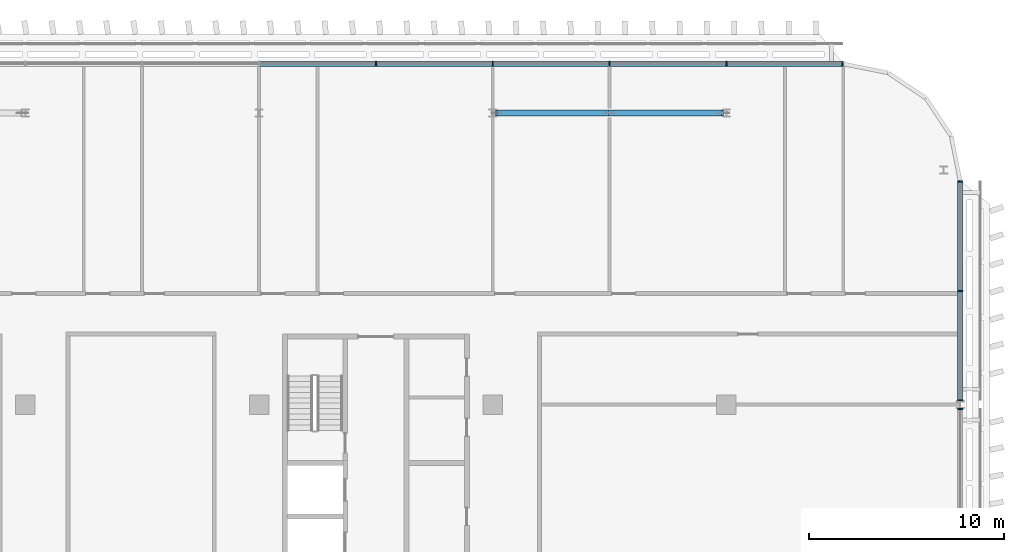
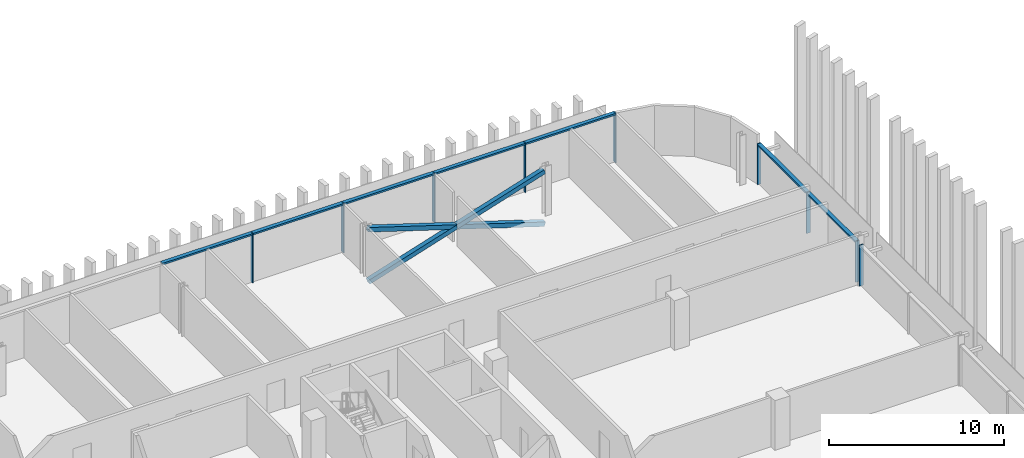
# One storey, part 7 of 30: 19 members, 3 elements without a shape of their own.
"""IFC4 building model written with IfcOpenShell, lengths in metres."""

from ifc_helpers import new_model, si_unit, direction, frame, origin, origin_2d, place, context, subcontext, project, spatial, rectangle, hollow_rectangle, extrude, material, material_profile, profile_set, type_object, element, aggregate, save


model = new_model("IFC4")

# Units and contexts
model_context = context("Model", 3, precision=1e-05, world=origin(), true_north=direction((0.0, 1.0)))
body_context = subcontext(model_context, "Body", "Model", "MODEL_VIEW")
ifc_project = project(units=[si_unit("LENGTHUNIT", "METRE"), si_unit("AREAUNIT", "SQUARE_METRE"), si_unit("VOLUMEUNIT", "CUBIC_METRE"), si_unit("PLANEANGLEUNIT", "RADIAN"), si_unit("MASSUNIT", "GRAM", prefix="KILO")], contexts=[model_context])

# Site, building, storey
site_placement = place(None, origin())
site = spatial("IfcSite", under=ifc_project, at=site_placement, CompositionType="ELEMENT")
building_placement = place(site_placement, origin())
building = spatial("IfcBuilding", under=site, at=building_placement, Name="Mahtab Terrace Research Tower", CompositionType="ELEMENT")
storey_placement = place(building_placement, frame((0.0, 0.0, 228.60009765625)))
storey = spatial("IfcBuildingStorey", under=building, at=storey_placement, Name="L55", CompositionType="ELEMENT", Elevation=228.60009765625)

# Members
ifc_material_1 = material(Name="Steel ASTM A500 Gr C", Category="steel")
ifc_material_profile_1 = material_profile(ifc_material_1, hollow_rectangle(XDim=0.3046875, YDim=0.3046875, WallThickness=0.015869140625, at=origin_2d()), Name="HSS12X12X5/8")
ifc_profile_set_1 = profile_set([ifc_material_profile_1], Name="Steel ASTM A500 Gr C")
member_type_1 = type_object("IfcMemberType", Name="HSS 12x12x5/8 brace XB121258", PredefinedType="BRACE", material=ifc_profile_set_1)
member_1_placement = place(storey_placement, frame((41.800537109375, 26.472900390625, -0.58056640625), z_axis=(-0.953338568311, 0.0, 0.301903252998), x_axis=(0.0, -1.0, 0.0)))
element("IfcMember", 1, at=member_1_placement, inside=storey, type_object=member_type_1, Name="Exoskeleton brace L55 02 a", PredefinedType="BRACE", context=body_context, shape_type="SweptSolid", body=[
    extrude(hollow_rectangle(XDim=0.3046875, YDim=0.3046875, WallThickness=0.015869140625, at=origin_2d()), origin(), (0.0, 0.0, 1.0), 12.1689453125),
])
for number, where, z_axis, x_axis, name in (
    (2, (30.199462890625, 26.472900390625, -0.58056640625), (0.953338568311, 0.0, 0.301903252998), (0.0, 1.0, 0.0), "Exoskeleton brace L55 02 b1"),
    (3, (36.0, 26.472900390625, 1.25634765625), (0.953338568311, 0.0, 0.301903252998), (0.0, 1.0, 0.0), "Exoskeleton brace L55 02 b2"),
):
    element("IfcMember", number, at=place(storey_placement, frame(where, z_axis=z_axis, x_axis=x_axis)), inside=storey, type_object=member_type_1, Name=name, PredefinedType="BRACE", context=body_context, shape_type="SweptSolid", body=[
        extrude(hollow_rectangle(XDim=0.3046875, YDim=0.3046875, WallThickness=0.015869140625, at=origin_2d()), origin(), (0.0, 0.0, 1.0), 6.08447265625),
    ])

# Curtain wall, members
ifc_material_2 = material(Name="Sky lounge full-height curtain wall")
curtain_wall_type = type_object("IfcCurtainWallType", Name="Sky lounge full-height curtain wall", PredefinedType="NOTDEFINED", material=ifc_material_2)
curtain_wall_1_placement = place(storey_placement, origin())
curtain_wall_1 = element("IfcCurtainWall", 4, at=curtain_wall_1_placement, inside=storey, type_object=curtain_wall_type, Name="EN.L55.3.3", PredefinedType="NOTDEFINED")
ifc_material_3 = material(Name="Natural anodised aluminium", Category="aluminium")
ifc_material_profile_2 = material_profile(ifc_material_3, rectangle(XDim=0.25, YDim=0.070068359375, at=origin_2d()), Name="MULLION 70x250")
ifc_profile_set_2 = profile_set([ifc_material_profile_2], Name="Natural anodised aluminium")
member_type_2 = type_object("IfcMemberType", Name="Sky lounge full-height curtain wall mullion", PredefinedType="MULLION", material=ifc_profile_set_2)
member_2_placement = place(storey_placement, frame((47.965087890625, 29.0, 0.0), z_axis=(0.0, 0.0, 1.0), x_axis=(0.0, -1.0, 0.0)))
member_2 = element("IfcMember", 5, at=member_2_placement, type_object=member_type_2, Name="CWS-7 mullion 1", PredefinedType="MULLION", context=body_context, shape_type="SweptSolid", body=[
    extrude(rectangle(XDim=0.25, YDim=0.070068359375, at=origin_2d()), origin(), (0.0, 0.0, 1.0), 3.4599609375),
])
member_3_placement = place(storey_placement, frame((42.0, 29.0, 0.0), z_axis=(0.0, 0.0, 1.0), x_axis=(0.0, -1.0, 0.0)))
member_3 = element("IfcMember", 6, at=member_3_placement, type_object=member_type_2, Name="CWS-7 mullion 2", PredefinedType="MULLION", context=body_context, shape_type="SweptSolid", body=[
    extrude(rectangle(XDim=0.25, YDim=0.070068359375, at=origin_2d()), origin(), (0.0, 0.0, 1.0), 3.4599609375),
])
member_4_placement = place(storey_placement, frame((36.0, 29.0, 0.0), z_axis=(0.0, 0.0, 1.0), x_axis=(0.0, -1.0, 0.0)))
member_4 = element("IfcMember", 7, at=member_4_placement, type_object=member_type_2, Name="CWS-7 mullion 3", PredefinedType="MULLION", context=body_context, shape_type="SweptSolid", body=[
    extrude(rectangle(XDim=0.25, YDim=0.070068359375, at=origin_2d()), origin(), (0.0, 0.0, 1.0), 3.4599609375),
])
member_5_placement = place(storey_placement, frame((30.0, 29.0, 0.0), z_axis=(0.0, 0.0, 1.0), x_axis=(0.0, -1.0, 0.0)))
member_5 = element("IfcMember", 8, at=member_5_placement, type_object=member_type_2, Name="CWS-7 mullion 4", PredefinedType="MULLION", context=body_context, shape_type="SweptSolid", body=[
    extrude(rectangle(XDim=0.25, YDim=0.070068359375, at=origin_2d()), origin(), (0.0, 0.0, 1.0), 3.4599609375),
])
member_6_placement = place(storey_placement, frame((24.0, 29.0, 0.0), z_axis=(0.0, 0.0, 1.0), x_axis=(0.0, -1.0, 0.0)))
member_6 = element("IfcMember", 9, at=member_6_placement, type_object=member_type_2, Name="CWS-7 mullion 5", PredefinedType="MULLION", context=body_context, shape_type="SweptSolid", body=[
    extrude(rectangle(XDim=0.25, YDim=0.070068359375, at=origin_2d()), origin(), (0.0, 0.0, 1.0), 3.4599609375),
])

# Curtain wall, member
curtain_wall_2_placement = place(storey_placement, origin())
curtain_wall_2 = element("IfcCurtainWall", 10, at=curtain_wall_2_placement, inside=storey, type_object=curtain_wall_type, Name="EN.L55.18.21", PredefinedType="NOTDEFINED")
member_7_placement = place(storey_placement, frame((54.0, 11.27197265625, 0.0), z_axis=(0.0, 0.0, 1.0), x_axis=(-1.0, 0.0, 0.0)))
member_7 = element("IfcMember", 11, at=member_7_placement, type_object=member_type_2, Name="CWS-7 mullion 3", PredefinedType="MULLION", context=body_context, shape_type="SweptSolid", body=[
    extrude(rectangle(XDim=0.25, YDim=0.070068359375, at=origin_2d()), origin(), (0.0, 0.0, 1.0), 2.852783203125),
])
aggregate(curtain_wall_2, [member_7])

# Curtain wall, members
curtain_wall_3_placement = place(storey_placement, origin())
curtain_wall_3 = element("IfcCurtainWall", 12, at=curtain_wall_3_placement, inside=storey, type_object=curtain_wall_type, Name="EN.L55.18.22", PredefinedType="NOTDEFINED")
member_8_placement = place(storey_placement, frame((54.0, 11.72802734375, 0.0), z_axis=(0.0, 0.0, 1.0), x_axis=(-1.0, 0.0, 0.0)))
member_8 = element("IfcMember", 13, at=member_8_placement, type_object=member_type_2, Name="CWS-7 mullion 1", PredefinedType="MULLION", context=body_context, shape_type="SweptSolid", body=[
    extrude(rectangle(XDim=0.25, YDim=0.070068359375, at=origin_2d()), origin(), (0.0, 0.0, 1.0), 2.852783203125),
])
member_9_placement = place(storey_placement, frame((54.0, 17.346435546875, 0.0), z_axis=(0.0, 0.0, 1.0), x_axis=(-1.0, 0.0, 0.0)))
member_9 = element("IfcMember", 14, at=member_9_placement, type_object=member_type_2, Name="CWS-7 mullion 2", PredefinedType="MULLION", context=body_context, shape_type="SweptSolid", body=[
    extrude(rectangle(XDim=0.25, YDim=0.070068359375, at=origin_2d()), origin(), (0.0, 0.0, 1.0), 2.852783203125),
])
member_10_placement = place(storey_placement, frame((54.0, 22.965087890625, 0.0), z_axis=(0.0, 0.0, 1.0), x_axis=(-1.0, 0.0, 0.0)))
member_10 = element("IfcMember", 15, at=member_10_placement, type_object=member_type_2, Name="CWS-7 mullion 3", PredefinedType="MULLION", context=body_context, shape_type="SweptSolid", body=[
    extrude(rectangle(XDim=0.25, YDim=0.070068359375, at=origin_2d()), origin(), (0.0, 0.0, 1.0), 2.852783203125),
])

# Member
ifc_material_profile_3 = material_profile(ifc_material_3, rectangle(XDim=0.25, YDim=0.1201171875, at=origin_2d()), Name="TRANSOM 120x250")
ifc_profile_set_3 = profile_set([ifc_material_profile_3], Name="Natural anodised aluminium")
member_type_3 = type_object("IfcMemberType", Name="Sky lounge full-height curtain wall transom", PredefinedType="USERDEFINED", material=ifc_profile_set_3)
member_11_placement = place(storey_placement, frame((47.929931640625, 29.0, 3.39990234375), z_axis=(-1.0, 0.0, 0.0), x_axis=(0.0, -1.0, 0.0)))
member_11 = element("IfcMember", 16, at=member_11_placement, type_object=member_type_3, Name="CWS-7 transom 1", ObjectType="TRANSOM", PredefinedType="USERDEFINED", context=body_context, shape_type="SweptSolid", body=[
    extrude(rectangle(XDim=0.25, YDim=0.1201171875, at=origin_2d()), origin(), (0.0, 0.0, 1.0), 5.89501953125),
])

member_12_placement = place(storey_placement, frame((41.965087890625, 29.0, 3.39990234375), z_axis=(-1.0, 0.0, 0.0), x_axis=(0.0, -1.0, 0.0)))
member_12 = element("IfcMember", 17, at=member_12_placement, type_object=member_type_3, Name="CWS-7 transom 2", ObjectType="TRANSOM", PredefinedType="USERDEFINED", context=body_context, shape_type="SweptSolid", body=[
    extrude(rectangle(XDim=0.25, YDim=0.1201171875, at=origin_2d()), origin(), (0.0, 0.0, 1.0), 5.93017578125),
])

member_13_placement = place(storey_placement, frame((35.965087890625, 29.0, 3.39990234375), z_axis=(-1.0, 0.0, 0.0), x_axis=(0.0, -1.0, 0.0)))
member_13 = element("IfcMember", 18, at=member_13_placement, type_object=member_type_3, Name="CWS-7 transom 3", ObjectType="TRANSOM", PredefinedType="USERDEFINED", context=body_context, shape_type="SweptSolid", body=[
    extrude(rectangle(XDim=0.25, YDim=0.1201171875, at=origin_2d()), origin(), (0.0, 0.0, 1.0), 5.93017578125),
])

member_14_placement = place(storey_placement, frame((29.965087890625, 29.0, 3.39990234375), z_axis=(-1.0, 0.0, 0.0), x_axis=(0.0, -1.0, 0.0)))
member_14 = element("IfcMember", 19, at=member_14_placement, type_object=member_type_3, Name="CWS-7 transom 4", ObjectType="TRANSOM", PredefinedType="USERDEFINED", context=body_context, shape_type="SweptSolid", body=[
    extrude(rectangle(XDim=0.25, YDim=0.1201171875, at=origin_2d()), origin(), (0.0, 0.0, 1.0), 5.93017578125),
])

member_15_placement = place(storey_placement, frame((23.965087890625, 29.0, 3.39990234375), z_axis=(-1.0, 0.0, 0.0), x_axis=(0.0, -1.0, 0.0)))
member_15 = element("IfcMember", 20, at=member_15_placement, type_object=member_type_3, Name="CWS-7 transom 5", ObjectType="TRANSOM", PredefinedType="USERDEFINED", context=body_context, shape_type="SweptSolid", body=[
    extrude(rectangle(XDim=0.25, YDim=0.1201171875, at=origin_2d()), origin(), (0.0, 0.0, 1.0), 5.93017578125),
])

aggregate(curtain_wall_1, [member_2, member_3, member_4, member_5, member_6, member_11, member_12, member_13, member_14, member_15])

member_16_placement = place(storey_placement, frame((54.0, 11.762939453125, 2.792724609375), z_axis=(0.0, 1.0, 0.0), x_axis=(-1.0, 0.0, 0.0)))
member_16 = element("IfcMember", 21, at=member_16_placement, type_object=member_type_3, Name="CWS-7 transom 1", ObjectType="TRANSOM", PredefinedType="USERDEFINED", context=body_context, shape_type="SweptSolid", body=[
    extrude(rectangle(XDim=0.25, YDim=0.1201171875, at=origin_2d()), origin(), (0.0, 0.0, 1.0), 5.548583984375),
])

member_17_placement = place(storey_placement, frame((54.0, 17.381591796875, 2.792724609375), z_axis=(0.0, 1.0, 0.0), x_axis=(-1.0, 0.0, 0.0)))
member_17 = element("IfcMember", 22, at=member_17_placement, type_object=member_type_3, Name="CWS-7 transom 2", ObjectType="TRANSOM", PredefinedType="USERDEFINED", context=body_context, shape_type="SweptSolid", body=[
    extrude(rectangle(XDim=0.25, YDim=0.1201171875, at=origin_2d()), origin(), (0.0, 0.0, 1.0), 5.54833984375),
])

aggregate(curtain_wall_3, [member_8, member_9, member_10, member_16, member_17])

save(model, "model.ifc")
